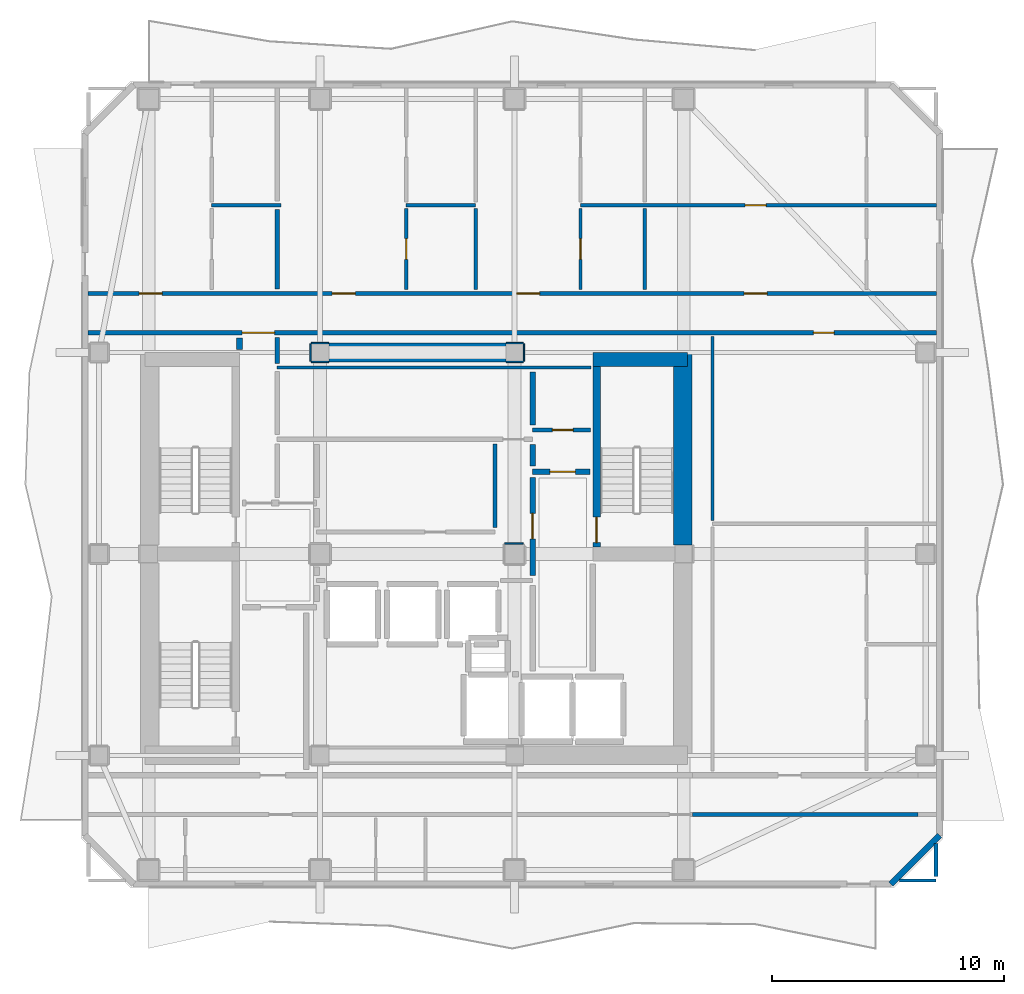
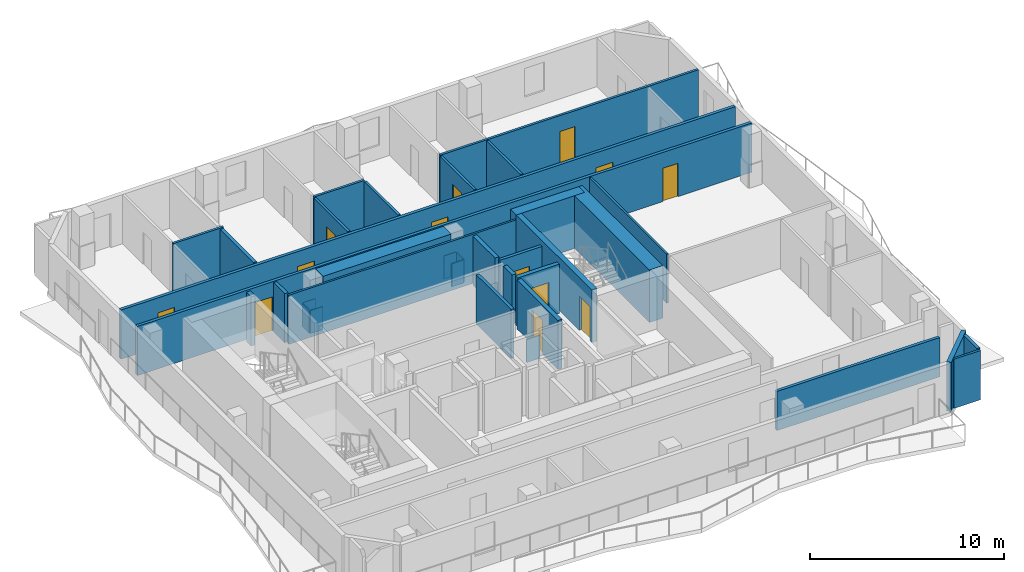
# One storey, part 4 of 9: 35 walls, 13 doors, 13 openings.
"""IFC4 building model written with IfcOpenShell, lengths in metres."""

from ifc_helpers import new_model, si_unit, direction, frame, frame_2d, origin, place, context, subcontext, project, spatial, rectangle, extrude, material, layer, layer_set, type_object, element, fill, save


model = new_model("IFC4")

# Units and contexts
model_context = context("Model", 3, precision=1e-05, world=origin(), true_north=direction((0.0, 1.0)))
body_context = subcontext(model_context, "Body", "Model", "MODEL_VIEW")
ifc_project = project(units=[si_unit("LENGTHUNIT", "METRE"), si_unit("AREAUNIT", "SQUARE_METRE"), si_unit("VOLUMEUNIT", "CUBIC_METRE"), si_unit("PLANEANGLEUNIT", "RADIAN"), si_unit("MASSUNIT", "GRAM", prefix="KILO")], contexts=[model_context])

# Site, building, storey
site_placement = place(None, origin())
site = spatial("IfcSite", under=ifc_project, at=site_placement, CompositionType="ELEMENT")
building_placement = place(site_placement, origin())
building = spatial("IfcBuilding", under=site, at=building_placement, Name="Solanera Arch Residences", CompositionType="ELEMENT")
storey_placement = place(building_placement, frame((0.0, 0.0, 244.56005859375)))
storey = spatial("IfcBuildingStorey", under=building, at=storey_placement, Name="L71", CompositionType="ELEMENT", Elevation=244.56005859375)

# Walls
ifc_material_1 = material(Name="Fire-Rated Gypsum Stud Partition", Category="gypsum")
ifc_layer_1 = layer(ifc_material_1, 0.06005859375)
ifc_layer_set_1 = layer_set([ifc_layer_1], Name="Fire-Rated Gypsum Stud Partition")
wall_type_1 = type_object("IfcWallType", Name="Column Acoustic Furring Wall 60", PredefinedType="PARTITIONING", material=ifc_layer_set_1)
for number, where, z_axis, x_axis, name in (
    (1, (20.425048828125, 38.992919921875, 0.0), (0.0, 0.0, 1.0), (1.0, 0.0, 0.0), "L71 Column Furring 3S"),
    (2, (20.425048828125, 39.806884765625, 0.0), (0.0, 0.0, 1.0), (1.0, 0.0, 0.0), "L71 Column Furring 3N"),
):
    element("IfcWall", number, at=place(storey_placement, frame(where, z_axis=z_axis, x_axis=x_axis)), inside=storey, type_object=wall_type_1, Name=name, PredefinedType="PARTITIONING", context=body_context, shape_type="SweptSolid", body=[
        extrude(rectangle(XDim=0.741943359375, YDim=0.06005859375, at=frame_2d((0.37109375, 0.0))), origin(), (0.0, 0.0, 1.0), 1.449951171875),
    ])
wall_1_placement = place(storey_placement, frame((20.39306640625, 39.02490234375, 0.0), z_axis=(0.0, 0.0, 1.0), x_axis=(0.0, 1.0, 0.0)))
element("IfcWall", 3, at=wall_1_placement, inside=storey, type_object=wall_type_1, Name="L71 Column Furring 3W", PredefinedType="PARTITIONING", context=body_context, shape_type="SweptSolid", body=[
    extrude(rectangle(XDim=0.75, YDim=0.06005859375, at=frame_2d((0.375, 0.0))), origin(), (0.0, 0.0, 1.0), 1.449951171875),
])
for number, where, z_axis, x_axis, name in (
    (4, (28.8330078125, 38.992919921875, 0.0), (0.0, 0.0, 1.0), (1.0, 0.0, 0.0), "L71 Column Furring 4S"),
    (5, (28.8330078125, 39.806884765625, 0.0), (0.0, 0.0, 1.0), (1.0, 0.0, 0.0), "L71 Column Furring 4N"),
):
    element("IfcWall", number, at=place(storey_placement, frame(where, z_axis=z_axis, x_axis=x_axis)), inside=storey, type_object=wall_type_1, Name=name, PredefinedType="PARTITIONING", context=body_context, shape_type="SweptSolid", body=[
        extrude(rectangle(XDim=0.741943359375, YDim=0.06005859375, at=frame_2d((0.37109375, 0.0))), origin(), (0.0, 0.0, 1.0), 1.449951171875),
    ])
wall_2_placement = place(storey_placement, frame((29.60693359375, 39.02490234375, 0.0), z_axis=(0.0, 0.0, 1.0), x_axis=(0.0, 1.0, 0.0)))
element("IfcWall", 6, at=wall_2_placement, inside=storey, type_object=wall_type_1, Name="L71 Column Furring 4E", PredefinedType="PARTITIONING", context=body_context, shape_type="SweptSolid", body=[
    extrude(rectangle(XDim=0.75, YDim=0.06005859375, at=frame_2d((0.375, 0.0))), origin(), (0.0, 0.0, 1.0), 1.449951171875),
])
wall_3_placement = place(storey_placement, frame((28.77490234375, 31.156982421875, 0.0), z_axis=(0.0, 0.0, 1.0), x_axis=(1.0, 0.0, 0.0)))
element("IfcWall", 7, at=wall_3_placement, inside=storey, type_object=wall_type_1, Name="L71 Column Furring 8N", PredefinedType="PARTITIONING", context=body_context, shape_type="SweptSolid", body=[
    extrude(rectangle(XDim=0.794189453125, YDim=0.06005859375, at=frame_2d((0.39697265625, 0.0))), origin(), (0.0, 0.0, 1.0), 1.449951171875),
])

# Wall, opening, door
ifc_material_2 = material(Name="Concrete C40/50 (f'c = 45 MPa)", Category="concrete")
ifc_layer_2 = layer(ifc_material_2, 0.320068359375)
ifc_layer_set_2 = layer_set([ifc_layer_2], Name="Concrete C40/50 (f'c = 45 MPa)")
wall_type_2 = type_object("IfcWallType", Name="Core Shear Wall CW-320", PredefinedType="SHEAR", material=ifc_layer_set_2)
wall_4_placement = place(storey_placement, frame((32.739990234375, 31.0, 0.0), z_axis=(0.0, 0.0, 1.0), x_axis=(0.0, 1.0, 0.0)))
wall_4 = element("IfcWall", 8, at=wall_4_placement, inside=storey, type_object=wall_type_2, Name="L71 Stair ST-T2 West Shear Wall", PredefinedType="SHEAR", context=body_context, shape_type="SweptSolid", body=[
    extrude(rectangle(XDim=7.800048828125, YDim=0.320068359375, at=frame_2d((3.89990234375, 0.0))), origin(), (0.0, 0.0, 1.0), 3.31982421875),
])
opening_1_placement = place(wall_4_placement, frame((0.18994140625, 0.0, 0.0)))
opening_1 = element("IfcOpeningElement", 9, at=opening_1_placement, cuts=wall_4, Name="Opening DF-01", PredefinedType="OPENING", context=body_context, shape_type="SweptSolid", body=[
    extrude(rectangle(XDim=1.10009765625, YDim=2.14990234375, at=frame_2d((0.550048828125, 1.074951171875))), frame((0.0, 0.169921875, 0.0), z_axis=(0.0, -1.0, 0.0), x_axis=(1.0, 0.0, 0.0)), (0.0, 0.0, 1.0), 0.3401),
])
ifc_material_3 = material(Name="Fire-Rated Architectural Hardwood", Category="wood")
door_type_1 = type_object("IfcDoorType", Name="Stair Exit Fire Door DF-01", OperationType="NOTDEFINED", PredefinedType="DOOR", material=ifc_material_3)
door_1_placement = place(opening_1_placement, origin())
door_1 = element("IfcDoor", 10, at=door_1_placement, inside=storey, type_object=door_type_1, Name="DR-L71-STAIR-ST-T2", OperationType="SINGLE_SWING_RIGHT", OverallHeight=2.14990234375, OverallWidth=1.10009765625, PredefinedType="DOOR", context=body_context, shape_type="SweptSolid", body=[
    extrude(rectangle(XDim=1.10009765625, YDim=2.14990234375, at=frame_2d((0.550048828125, 1.074951171875))), frame((0.0, 0.02490234375, 0.0), z_axis=(0.0, -1.0, 0.0), x_axis=(1.0, 0.0, 0.0)), (0.0, 0.0, 1.0), 0.050048828125),
])
fill(opening_1, door_1)

# Walls
ifc_material_4 = material(Name="Concrete C40/50 (f'c = 45 MPa)", Category="concrete")
ifc_layer_3 = layer(ifc_material_4, 0.60009765625)
ifc_layer_set_3 = layer_set([ifc_layer_3], Name="Concrete C40/50 (f'c = 45 MPa)")
wall_type_3 = type_object("IfcWallType", Name="Core Shear Wall CW-600", PredefinedType="SHEAR", material=ifc_layer_set_3)
wall_5_placement = place(storey_placement, frame((32.580078125, 39.10009765625, 0.0), z_axis=(0.0, 0.0, 1.0), x_axis=(1.0, 0.0, 0.0)))
element("IfcWall", 11, at=wall_5_placement, inside=storey, type_object=wall_type_3, Name="L71 North-East Core Shear Wall", PredefinedType="SHEAR", context=body_context, shape_type="SweptSolid", body=[
    extrude(rectangle(XDim=4.079833984375, YDim=0.60009765625, at=frame_2d((2.0400390625, 0.0))), origin(), (0.0, 0.0, 1.0), 3.31982421875),
])
ifc_material_5 = material(Name="Concrete C40/50 (f'c = 45 MPa)", Category="concrete")
ifc_layer_4 = layer(ifc_material_5, 0.800048828125)
ifc_layer_set_4 = layer_set([ifc_layer_4], Name="Concrete C40/50 (f'c = 45 MPa)")
wall_type_4 = type_object("IfcWallType", Name="Core Shear Wall CW-800", PredefinedType="SHEAR", material=ifc_layer_set_4)
wall_6_placement = place(storey_placement, frame((36.4599609375, 31.080078125, 0.0), z_axis=(0.0, 0.0, 1.0), x_axis=(0.0, 1.0, 0.0)))
element("IfcWall", 12, at=wall_6_placement, inside=storey, type_object=wall_type_4, Name="L71 East Core North Shear Wall", PredefinedType="SHEAR", context=body_context, shape_type="SweptSolid", body=[
    extrude(rectangle(XDim=8.31982421875, YDim=0.800048828125, at=frame_2d((4.159912109375, 0.0))), origin(), (0.0, 0.0, 1.0), 3.31982421875),
])
wall_7_placement = place(storey_placement, frame((21.179931640625, 39.39990234375, 0.0), z_axis=(0.0, 0.0, 1.0), x_axis=(1.0, 0.0, 0.0)))
element("IfcWall", 13, at=wall_7_placement, inside=storey, type_object=wall_type_4, Name="L71 Central North Core Shear Wall", PredefinedType="SHEAR", context=body_context, shape_type="SweptSolid", body=[
    extrude(rectangle(XDim=7.64013671875, YDim=0.800048828125, at=frame_2d((3.820068359375, 0.0))), origin(), (0.0, 0.0, 1.0), 3.31982421875),
])
ifc_material_6 = material(Name="Autoclaved Aerated Concrete Blockwork", Category="masonry")
ifc_layer_5 = layer(ifc_material_6, 0.179931640625)
ifc_layer_set_5 = layer_set([ifc_layer_5], Name="Autoclaved Aerated Concrete Blockwork")
wall_type_5 = type_object("IfcWallType", Name="Corridor Fire Partition 180", PredefinedType="PARTITIONING", material=ifc_layer_set_5)
wall_8_placement = place(storey_placement, frame((36.888916015625, 19.449951171875, 0.0), z_axis=(0.0, 0.0, 1.0), x_axis=(1.0, 0.0, 0.0)))
element("IfcWall", 14, at=wall_8_placement, inside=storey, type_object=wall_type_5, Name="L71 Interior Partition H7 2", PredefinedType="PARTITIONING", context=body_context, shape_type="SweptSolid", body=[
    extrude(rectangle(XDim=9.72216796875, YDim=0.179931640625, at=frame_2d((4.861083984375, 0.0))), origin(), (0.0, 0.0, 1.0), 2.47705078125),
])

# Wall, opening, door
wall_9_placement = place(storey_placement, frame((29.97509765625, 36.050048828125, 0.0), z_axis=(0.0, 0.0, 1.0), x_axis=(1.0, 0.0, 0.0)))
wall_9 = element("IfcWall", 15, at=wall_9_placement, inside=storey, type_object=wall_type_5, Name="L71 Interior Partition H10", PredefinedType="PARTITIONING", context=body_context, shape_type="SweptSolid", body=[
    extrude(rectangle(XDim=2.5048828125, YDim=0.179931640625, at=frame_2d((1.25244140625, 0.0))), origin(), (0.0, 0.0, 1.0), 3.099853515625),
])
opening_2_placement = place(wall_9_placement, frame((0.85205078125, 0.0, 0.0)))
opening_2 = element("IfcOpeningElement", 16, at=opening_2_placement, cuts=wall_9, Name="Opening DI-02", PredefinedType="OPENING", context=body_context, shape_type="SweptSolid", body=[
    extrude(rectangle(XDim=0.89990234375, YDim=2.10009765625, at=frame_2d((0.449951171875, 1.050048828125))), frame((0.0, 0.10009765625, 0.0), z_axis=(0.0, -1.0, 0.0), x_axis=(1.0, 0.0, 0.0)), (0.0, 0.0, 1.0), 0.1999),
])
ifc_material_7 = material(Name="Fire-Rated Architectural Hardwood", Category="wood")
door_type_2 = type_object("IfcDoorType", Name="Suite Room Swing Door DI-02", OperationType="NOTDEFINED", PredefinedType="DOOR", material=ifc_material_7)
door_2_placement = place(opening_2_placement, origin())
door_2 = element("IfcDoor", 17, at=door_2_placement, inside=storey, type_object=door_type_2, Name="DR-L71-IN-011", OperationType="SINGLE_SWING_LEFT", OverallHeight=2.10009765625, OverallWidth=0.89990234375, PredefinedType="DOOR", context=body_context, shape_type="SweptSolid", body=[
    extrude(rectangle(XDim=0.89990234375, YDim=2.10009765625, at=frame_2d((0.449951171875, 1.050048828125))), frame((0.0, 0.02490234375, 0.0), z_axis=(0.0, -1.0, 0.0), x_axis=(1.0, 0.0, 0.0)), (0.0, 0.0, 1.0), 0.050048828125),
])
fill(opening_2, door_2)

# Wall, openings, doors
wall_10_placement = place(storey_placement, frame((10.787109375, 40.25, 0.0), z_axis=(0.0, 0.0, 1.0), x_axis=(1.0, 0.0, 0.0)))
wall_10 = element("IfcWall", 18, at=wall_10_placement, inside=storey, type_object=wall_type_5, Name="L71 Interior Partition H11", PredefinedType="PARTITIONING", context=body_context, shape_type="SweptSolid", body=[
    extrude(rectangle(XDim=36.6259765625, YDim=0.179931640625, at=frame_2d((18.31298828125, 0.0))), origin(), (0.0, 0.0, 1.0), 3.099853515625),
])
opening_3_placement = place(wall_10_placement, frame((6.64794921875, 0.0, 0.0)))
opening_3 = element("IfcOpeningElement", 19, at=opening_3_placement, cuts=wall_10, Name="Opening DF-03", PredefinedType="OPENING", context=body_context, shape_type="SweptSolid", body=[
    extrude(rectangle(XDim=1.39990234375, YDim=2.14990234375, at=frame_2d((0.699951171875, 1.074951171875))), frame((0.0, 0.10009765625, 0.0), z_axis=(0.0, -1.0, 0.0), x_axis=(1.0, 0.0, 0.0)), (0.0, 0.0, 1.0), 0.1999),
])
opening_4_placement = place(wall_10_placement, frame((31.31396484375, 0.0, 0.0)))
opening_4 = element("IfcOpeningElement", 20, at=opening_4_placement, cuts=wall_10, Name="Opening DI-02", PredefinedType="OPENING", context=body_context, shape_type="SweptSolid", body=[
    extrude(rectangle(XDim=0.89990234375, YDim=2.10009765625, at=frame_2d((0.449951171875, 1.050048828125))), frame((0.0, 0.10009765625, 0.0), z_axis=(0.0, -1.0, 0.0), x_axis=(1.0, 0.0, 0.0)), (0.0, 0.0, 1.0), 0.1999),
])
ifc_material_8 = material(Name="Fire-Rated Architectural Hardwood", Category="wood")
door_type_3 = type_object("IfcDoorType", Name="Corridor Smoke Door DF-03", OperationType="NOTDEFINED", PredefinedType="DOOR", material=ifc_material_8)
door_3_placement = place(opening_3_placement, origin())
door_3 = element("IfcDoor", 21, at=door_3_placement, inside=storey, type_object=door_type_3, Name="DR-L71-IN-009", OperationType="SINGLE_SWING_LEFT", OverallHeight=2.14990234375, OverallWidth=1.39990234375, PredefinedType="DOOR", context=body_context, shape_type="SweptSolid", body=[
    extrude(rectangle(XDim=1.39990234375, YDim=2.14990234375, at=frame_2d((0.699951171875, 1.074951171875))), frame((0.0, 0.02490234375, 0.0), z_axis=(0.0, -1.0, 0.0), x_axis=(1.0, 0.0, 0.0)), (0.0, 0.0, 1.0), 0.050048828125),
])
fill(opening_3, door_3)
door_4_placement = place(opening_4_placement, origin())
door_4 = element("IfcDoor", 22, at=door_4_placement, inside=storey, type_object=door_type_2, Name="DR-L71-IN-034", OperationType="SINGLE_SWING_RIGHT", OverallHeight=2.10009765625, OverallWidth=0.89990234375, PredefinedType="DOOR", context=body_context, shape_type="SweptSolid", body=[
    extrude(rectangle(XDim=0.89990234375, YDim=2.10009765625, at=frame_2d((0.449951171875, 1.050048828125))), frame((0.0, 0.02490234375, 0.0), z_axis=(0.0, -1.0, 0.0), x_axis=(1.0, 0.0, 0.0)), (0.0, 0.0, 1.0), 0.050048828125),
])
fill(opening_4, door_4)

wall_11_placement = place(storey_placement, frame((10.787109375, 41.949951171875, 0.0), z_axis=(0.0, 0.0, 1.0), x_axis=(1.0, 0.0, 0.0)))
wall_11 = element("IfcWall", 23, at=wall_11_placement, inside=storey, type_object=wall_type_5, Name="L71 Interior Partition H12", PredefinedType="PARTITIONING", context=body_context, shape_type="SweptSolid", body=[
    extrude(rectangle(XDim=36.6259765625, YDim=0.179931640625, at=frame_2d((18.31298828125, 0.0))), origin(), (0.0, 0.0, 1.0), 3.099853515625),
])
opening_5_placement = place(wall_11_placement, frame((2.197021484375, 0.0, 0.0)))
opening_5 = element("IfcOpeningElement", 24, at=opening_5_placement, cuts=wall_11, Name="Opening DI-01", PredefinedType="OPENING", context=body_context, shape_type="SweptSolid", body=[
    extrude(rectangle(XDim=1.0, YDim=2.14990234375, at=frame_2d((0.5, 1.074951171875))), frame((0.0, 0.10009765625, 0.0), z_axis=(0.0, -1.0, 0.0), x_axis=(1.0, 0.0, 0.0)), (0.0, 0.0, 1.0), 0.1999),
])
opening_6_placement = place(wall_11_placement, frame((10.532958984375, 0.0, 0.0)))
opening_6 = element("IfcOpeningElement", 25, at=opening_6_placement, cuts=wall_11, Name="Opening DI-01", PredefinedType="OPENING", context=body_context, shape_type="SweptSolid", body=[
    extrude(rectangle(XDim=1.0, YDim=2.14990234375, at=frame_2d((0.5, 1.074951171875))), frame((0.0, 0.10009765625, 0.0), z_axis=(0.0, -1.0, 0.0), x_axis=(1.0, 0.0, 0.0)), (0.0, 0.0, 1.0), 0.1999),
])
opening_7_placement = place(wall_11_placement, frame((18.49609375, 0.0, 0.0)))
opening_7 = element("IfcOpeningElement", 26, at=opening_7_placement, cuts=wall_11, Name="Opening DI-01", PredefinedType="OPENING", context=body_context, shape_type="SweptSolid", body=[
    extrude(rectangle(XDim=1.0, YDim=2.14990234375, at=frame_2d((0.5, 1.074951171875))), frame((0.0, 0.10009765625, 0.0), z_axis=(0.0, -1.0, 0.0), x_axis=(1.0, 0.0, 0.0)), (0.0, 0.0, 1.0), 0.1999),
])
opening_8_placement = place(wall_11_placement, frame((28.322998046875, 0.0, 0.0)))
opening_8 = element("IfcOpeningElement", 27, at=opening_8_placement, cuts=wall_11, Name="Opening DI-01", PredefinedType="OPENING", context=body_context, shape_type="SweptSolid", body=[
    extrude(rectangle(XDim=1.0, YDim=2.14990234375, at=frame_2d((0.5, 1.074951171875))), frame((0.0, 0.10009765625, 0.0), z_axis=(0.0, -1.0, 0.0), x_axis=(1.0, 0.0, 0.0)), (0.0, 0.0, 1.0), 0.1999),
])
ifc_material_9 = material(Name="Fire-Rated Architectural Hardwood", Category="wood")
door_type_4 = type_object("IfcDoorType", Name="Unit Entrance Fire Door DI-01", OperationType="NOTDEFINED", PredefinedType="DOOR", material=ifc_material_9)
door_5_placement = place(opening_5_placement, origin())
door_5 = element("IfcDoor", 28, at=door_5_placement, inside=storey, type_object=door_type_4, Name="DR-L71-IN-018", OperationType="SINGLE_SWING_RIGHT", OverallHeight=2.14990234375, OverallWidth=1.0, PredefinedType="DOOR", context=body_context, shape_type="SweptSolid", body=[
    extrude(rectangle(XDim=1.0, YDim=2.14990234375, at=frame_2d((0.5, 1.074951171875))), frame((0.0, 0.02490234375, 0.0), z_axis=(0.0, -1.0, 0.0), x_axis=(1.0, 0.0, 0.0)), (0.0, 0.0, 1.0), 0.050048828125),
])
fill(opening_5, door_5)
door_6_placement = place(opening_6_placement, origin())
door_6 = element("IfcDoor", 29, at=door_6_placement, inside=storey, type_object=door_type_4, Name="DR-L71-IN-021", OperationType="SINGLE_SWING_LEFT", OverallHeight=2.14990234375, OverallWidth=1.0, PredefinedType="DOOR", context=body_context, shape_type="SweptSolid", body=[
    extrude(rectangle(XDim=1.0, YDim=2.14990234375, at=frame_2d((0.5, 1.074951171875))), frame((0.0, 0.02490234375, 0.0), z_axis=(0.0, -1.0, 0.0), x_axis=(1.0, 0.0, 0.0)), (0.0, 0.0, 1.0), 0.050048828125),
])
fill(opening_6, door_6)
door_7_placement = place(opening_7_placement, origin())
door_7 = element("IfcDoor", 30, at=door_7_placement, inside=storey, type_object=door_type_4, Name="DR-L71-IN-024", OperationType="SINGLE_SWING_RIGHT", OverallHeight=2.14990234375, OverallWidth=1.0, PredefinedType="DOOR", context=body_context, shape_type="SweptSolid", body=[
    extrude(rectangle(XDim=1.0, YDim=2.14990234375, at=frame_2d((0.5, 1.074951171875))), frame((0.0, 0.02490234375, 0.0), z_axis=(0.0, -1.0, 0.0), x_axis=(1.0, 0.0, 0.0)), (0.0, 0.0, 1.0), 0.050048828125),
])
fill(opening_7, door_7)
door_8_placement = place(opening_8_placement, origin())
door_8 = element("IfcDoor", 31, at=door_8_placement, inside=storey, type_object=door_type_4, Name="DR-L71-IN-027", OperationType="SINGLE_SWING_LEFT", OverallHeight=2.14990234375, OverallWidth=1.0, PredefinedType="DOOR", context=body_context, shape_type="SweptSolid", body=[
    extrude(rectangle(XDim=1.0, YDim=2.14990234375, at=frame_2d((0.5, 1.074951171875))), frame((0.0, 0.02490234375, 0.0), z_axis=(0.0, -1.0, 0.0), x_axis=(1.0, 0.0, 0.0)), (0.0, 0.0, 1.0), 0.050048828125),
])
fill(opening_8, door_8)

# Walls
wall_12_placement = place(storey_placement, frame((28.35009765625, 31.837890625, 0.0), z_axis=(0.0, 0.0, 1.0), x_axis=(0.0, 1.0, 0.0)))
element("IfcWall", 32, at=wall_12_placement, inside=storey, type_object=wall_type_5, Name="L71 Interior Partition V10", PredefinedType="PARTITIONING", context=body_context, shape_type="SweptSolid", body=[
    extrude(rectangle(XDim=3.614013671875, YDim=0.179931640625, at=frame_2d((1.80712890625, 0.0))), origin(), (0.0, 0.0, 1.0), 3.099853515625),
])
wall_13_placement = place(storey_placement, frame((47.39990234375, 16.76806640625, 0.0), z_axis=(0.0, 0.0, 1.0), x_axis=(0.0, 1.0, 0.0)))
element("IfcWall", 33, at=wall_13_placement, inside=storey, type_object=wall_type_5, Name="L71 Interior Partition V11 1", PredefinedType="PARTITIONING", context=body_context, shape_type="SweptSolid", body=[
    extrude(rectangle(XDim=1.4208984375, YDim=0.179931640625, at=frame_2d((0.71044921875, 0.0))), origin(), (0.0, 0.0, 1.0), 3.099853515625),
])
ifc_material_10 = material(Name="Precast Concrete C35/45", Category="concrete")
ifc_layer_6 = layer(ifc_material_10, 0.260009765625)
ifc_layer_set_6 = layer_set([ifc_layer_6], Name="Precast Concrete C35/45")
wall_type_6 = type_object("IfcWallType", Name="Exterior Wall Precast Masonry-Frame 260", PredefinedType="STANDARD", material=ifc_layer_set_6)
wall_14_placement = place(storey_placement, frame((47.554931640625, 18.544921875, 0.0), z_axis=(0.0, 0.0, 1.0), x_axis=(-0.707106781187, -0.707106781187, 0.0)))
element("IfcWall", 34, at=wall_14_placement, inside=storey, type_object=wall_type_6, Name="L71 Tower Exterior Precast Masonry-Frame Wall CH5", PredefinedType="STANDARD", context=body_context, shape_type="SweptSolid", body=[
    extrude(rectangle(XDim=2.9697265625, YDim=0.260009765625, at=frame_2d((1.48486328125, 0.0))), origin(), (0.0, 0.0, 1.0), 3.099853515625),
])
ifc_material_11 = material(Name="Autoclaved Aerated Concrete Blockwork", Category="masonry")
ifc_layer_7 = layer(ifc_material_11, 0.199951171875)
ifc_layer_set_7 = layer_set([ifc_layer_7], Name="Autoclaved Aerated Concrete Blockwork")
wall_type_7 = type_object("IfcWallType", Name="Party Wall Acoustic 200", PredefinedType="PARTITIONING", material=ifc_layer_set_7)
wall_15_placement = place(storey_placement, frame((18.949951171875, 38.91796875, 0.0), z_axis=(0.0, 0.0, 1.0), x_axis=(0.0, 1.0, 0.0)))
element("IfcWall", 35, at=wall_15_placement, inside=storey, type_object=wall_type_7, Name="L71 Interior Partition V6 3", PredefinedType="PARTITIONING", context=body_context, shape_type="SweptSolid", body=[
    extrude(rectangle(XDim=1.134033203125, YDim=0.199951171875, at=frame_2d((0.56689453125, 0.0))), origin(), (0.0, 0.0, 1.0), 3.099853515625),
])
wall_16_placement = place(storey_placement, frame((18.949951171875, 42.14794921875, 0.0), z_axis=(0.0, 0.0, 1.0), x_axis=(0.0, 1.0, 0.0)))
element("IfcWall", 36, at=wall_16_placement, inside=storey, type_object=wall_type_7, Name="L71 Interior Partition V7 1", PredefinedType="PARTITIONING", context=body_context, shape_type="SweptSolid", body=[
    extrude(rectangle(XDim=3.429931640625, YDim=0.199951171875, at=frame_2d((1.71484375, 0.0))), origin(), (0.0, 0.0, 1.0), 3.099853515625),
])

# Wall, opening, door
ifc_material_12 = material(Name="Autoclaved Aerated Concrete Blockwork", Category="masonry")
ifc_layer_8 = layer(ifc_material_12, 0.239990234375)
ifc_layer_set_8 = layer_set([ifc_layer_8], Name="Autoclaved Aerated Concrete Blockwork")
wall_type_8 = type_object("IfcWallType", Name="Shaft Wall Fire-Rated 240", PredefinedType="PARTITIONING", material=ifc_layer_set_8)
wall_17_placement = place(storey_placement, frame((29.97509765625, 34.25, 0.0), z_axis=(0.0, 0.0, 1.0), x_axis=(1.0, 0.0, 0.0)))
wall_17 = element("IfcWall", 37, at=wall_17_placement, inside=storey, type_object=wall_type_8, Name="L71 Interior Partition H5", PredefinedType="PARTITIONING", context=body_context, shape_type="SweptSolid", body=[
    extrude(rectangle(XDim=2.474853515625, YDim=0.239990234375, at=frame_2d((1.2373046875, 0.0))), origin(), (0.0, 0.0, 1.0), 3.099853515625),
])
opening_9_placement = place(wall_17_placement, frame((0.751953125, 0.0, 0.0)))
opening_9 = element("IfcOpeningElement", 38, at=opening_9_placement, cuts=wall_17, Name="Opening DF-02", PredefinedType="OPENING", context=body_context, shape_type="SweptSolid", body=[
    extrude(rectangle(XDim=1.10009765625, YDim=2.14990234375, at=frame_2d((0.550048828125, 1.074951171875))), frame((0.0, 0.1298828125, 0.0), z_axis=(0.0, -1.0, 0.0), x_axis=(1.0, 0.0, 0.0)), (0.0, 0.0, 1.0), 0.26),
])
ifc_material_13 = material(Name="Fire-Rated Architectural Hardwood", Category="wood")
door_type_5 = type_object("IfcDoorType", Name="Firefighting Lobby Fire Door DF-02", OperationType="NOTDEFINED", PredefinedType="DOOR", material=ifc_material_13)
door_9_placement = place(opening_9_placement, origin())
door_9 = element("IfcDoor", 39, at=door_9_placement, inside=storey, type_object=door_type_5, Name="DR-L71-IN-007", OperationType="SINGLE_SWING_LEFT", OverallHeight=2.14990234375, OverallWidth=1.10009765625, PredefinedType="DOOR", context=body_context, shape_type="SweptSolid", body=[
    extrude(rectangle(XDim=1.10009765625, YDim=2.14990234375, at=frame_2d((0.550048828125, 1.074951171875))), frame((0.0, 0.02490234375, 0.0), z_axis=(0.0, -1.0, 0.0), x_axis=(1.0, 0.0, 0.0)), (0.0, 0.0, 1.0), 0.050048828125),
])
fill(opening_9, door_9)

# Wall
wall_18_placement = place(storey_placement, frame((17.320068359375, 39.530029296875, 0.0), z_axis=(0.0, 0.0, 1.0), x_axis=(0.0, 1.0, 0.0)))
element("IfcWall", 40, at=wall_18_placement, inside=storey, type_object=wall_type_8, Name="L71 Interior Partition V1", PredefinedType="PARTITIONING", context=body_context, shape_type="SweptSolid", body=[
    extrude(rectangle(XDim=0.501953125, YDim=0.239990234375, at=frame_2d((0.2509765625, 0.0))), origin(), (0.0, 0.0, 1.0), 3.099853515625),
])

# Wall, opening, door
wall_19_placement = place(storey_placement, frame((29.97509765625, 29.76806640625, 0.0), z_axis=(0.0, 0.0, 1.0), x_axis=(0.0, 1.0, 0.0)))
wall_19 = element("IfcWall", 41, at=wall_19_placement, inside=storey, type_object=wall_type_8, Name="L71 Interior Partition V4 2", PredefinedType="PARTITIONING", context=body_context, shape_type="SweptSolid", body=[
    extrude(rectangle(XDim=4.23388671875, YDim=0.239990234375, at=frame_2d((2.116943359375, 0.0))), origin(), (0.0, 0.0, 1.0), 3.099853515625),
])
opening_10_placement = place(wall_19_placement, frame((1.58203125, 0.0, 0.0)))
opening_10 = element("IfcOpeningElement", 42, at=opening_10_placement, cuts=wall_19, Name="Opening DF-02", PredefinedType="OPENING", context=body_context, shape_type="SweptSolid", body=[
    extrude(rectangle(XDim=1.10009765625, YDim=2.14990234375, at=frame_2d((0.550048828125, 1.074951171875))), frame((0.0, 0.1298828125, 0.0), z_axis=(0.0, -1.0, 0.0), x_axis=(1.0, 0.0, 0.0)), (0.0, 0.0, 1.0), 0.26),
])
door_10_placement = place(opening_10_placement, origin())
door_10 = element("IfcDoor", 43, at=door_10_placement, inside=storey, type_object=door_type_5, Name="DR-L71-IN-006", OperationType="SINGLE_SWING_RIGHT", OverallHeight=2.14990234375, OverallWidth=1.10009765625, PredefinedType="DOOR", context=body_context, shape_type="SweptSolid", body=[
    extrude(rectangle(XDim=1.10009765625, YDim=2.14990234375, at=frame_2d((0.550048828125, 1.074951171875))), frame((0.0, 0.02490234375, 0.0), z_axis=(0.0, -1.0, 0.0), x_axis=(1.0, 0.0, 0.0)), (0.0, 0.0, 1.0), 0.050048828125),
])
fill(opening_10, door_10)

# Walls
wall_20_placement = place(storey_placement, frame((29.97509765625, 34.498046875, 0.0), z_axis=(0.0, 0.0, 1.0), x_axis=(0.0, 1.0, 0.0)))
element("IfcWall", 44, at=wall_20_placement, inside=storey, type_object=wall_type_8, Name="L71 Interior Partition V4 3", PredefinedType="PARTITIONING", context=body_context, shape_type="SweptSolid", body=[
    extrude(rectangle(XDim=0.924072265625, YDim=0.239990234375, at=frame_2d((0.4619140625, 0.0))), origin(), (0.0, 0.0, 1.0), 3.099853515625),
])
wall_21_placement = place(storey_placement, frame((29.97509765625, 36.26806640625, 0.0), z_axis=(0.0, 0.0, 1.0), x_axis=(0.0, 1.0, 0.0)))
element("IfcWall", 45, at=wall_21_placement, inside=storey, type_object=wall_type_8, Name="L71 Interior Partition V4 4", PredefinedType="PARTITIONING", context=body_context, shape_type="SweptSolid", body=[
    extrude(rectangle(XDim=2.2939453125, YDim=0.239990234375, at=frame_2d((1.14697265625, 0.0))), origin(), (0.0, 0.0, 1.0), 3.099853515625),
])
ifc_material_14 = material(Name="Fire-Rated Gypsum Stud Partition", Category="gypsum")
ifc_layer_9 = layer(ifc_material_14, 0.1201171875)
ifc_layer_set_9 = layer_set([ifc_layer_9], Name="Fire-Rated Gypsum Stud Partition")
wall_type_9 = type_object("IfcWallType", Name="Unit Drywall Partition 120", PredefinedType="PARTITIONING", material=ifc_layer_set_9)
wall_22_placement = place(storey_placement, frame((18.949951171875, 38.75, 0.0), z_axis=(0.0, 0.0, 1.0), x_axis=(1.0, 0.0, 0.0)))
element("IfcWall", 46, at=wall_22_placement, inside=storey, type_object=wall_type_9, Name="L71 Interior Partition H20", PredefinedType="PARTITIONING", context=body_context, shape_type="SweptSolid", body=[
    extrude(rectangle(XDim=13.56005859375, YDim=0.1201171875, at=frame_2d((6.780029296875, 0.0))), origin(), (0.0, 0.0, 1.0), 3.099853515625),
])
wall_23_placement = place(storey_placement, frame((37.75, 32.137939453125, 0.0), z_axis=(0.0, 0.0, 1.0), x_axis=(0.0, 1.0, 0.0)))
element("IfcWall", 47, at=wall_23_placement, inside=storey, type_object=wall_type_9, Name="L71 Interior Partition V22 2", PredefinedType="PARTITIONING", context=body_context, shape_type="SweptSolid", body=[
    extrude(rectangle(XDim=7.9541015625, YDim=0.1201171875, at=frame_2d((3.97705078125, 0.0))), origin(), (0.0, 0.0, 1.0), 3.099853515625),
])
ifc_material_15 = material(Name="Autoclaved Aerated Concrete Blockwork", Category="masonry")
ifc_layer_10 = layer(ifc_material_15, 0.139892578125)
ifc_layer_set_10 = layer_set([ifc_layer_10], Name="Autoclaved Aerated Concrete Blockwork")
wall_type_10 = type_object("IfcWallType", Name="Wet-Room Partition 140", PredefinedType="PARTITIONING", material=ifc_layer_set_10)
wall_24_placement = place(storey_placement, frame((45.81103515625, 16.60009765625, 0.0), z_axis=(0.0, 0.0, 1.0), x_axis=(1.0, 0.0, 0.0)))
element("IfcWall", 48, at=wall_24_placement, inside=storey, type_object=wall_type_10, Name="L71 Interior Partition H13 2", PredefinedType="PARTITIONING", context=body_context, shape_type="SweptSolid", body=[
    extrude(rectangle(XDim=1.5888671875, YDim=0.139892578125, at=frame_2d((0.79443359375, 0.0))), origin(), (0.0, 0.0, 1.0), 3.099853515625),
])
for number, where, z_axis, x_axis, name in (
    (49, (16.1201171875, 45.756103515625, 0.0), (0.0, 0.0, 1.0), (1.0, 0.0, 0.0), "L71 Interior Partition H16"),
    (50, (24.52001953125, 45.756103515625, 0.0), (0.0, 0.0, 1.0), (1.0, 0.0, 0.0), "L71 Interior Partition H17"),
):
    element("IfcWall", number, at=place(storey_placement, frame(where, z_axis=z_axis, x_axis=x_axis)), inside=storey, type_object=wall_type_10, Name=name, PredefinedType="PARTITIONING", context=body_context, shape_type="SweptSolid", body=[
        extrude(rectangle(XDim=3.0, YDim=0.139892578125, at=frame_2d((1.5, 0.0))), origin(), (0.0, 0.0, 1.0), 3.099853515625),
    ])

# Wall, opening, door
wall_25_placement = place(storey_placement, frame((32.0458984375, 45.756103515625, 0.0), z_axis=(0.0, 0.0, 1.0), x_axis=(1.0, 0.0, 0.0)))
wall_25 = element("IfcWall", 51, at=wall_25_placement, inside=storey, type_object=wall_type_10, Name="L71 Interior Partition H18", PredefinedType="PARTITIONING", context=body_context, shape_type="SweptSolid", body=[
    extrude(rectangle(XDim=15.3671875, YDim=0.139892578125, at=frame_2d((7.68359375, 0.0))), origin(), (0.0, 0.0, 1.0), 3.099853515625),
])
opening_11_placement = place(wall_25_placement, frame((7.114013671875, 0.0, 0.0)))
opening_11 = element("IfcOpeningElement", 52, at=opening_11_placement, cuts=wall_25, Name="Opening DI-02", PredefinedType="OPENING", context=body_context, shape_type="SweptSolid", body=[
    extrude(rectangle(XDim=0.89990234375, YDim=2.10009765625, at=frame_2d((0.449951171875, 1.050048828125))), frame((0.0, 0.079833984375, 0.0), z_axis=(0.0, -1.0, 0.0), x_axis=(1.0, 0.0, 0.0)), (0.0, 0.0, 1.0), 0.1599),
])
door_11_placement = place(opening_11_placement, origin())
door_11 = element("IfcDoor", 53, at=door_11_placement, inside=storey, type_object=door_type_2, Name="DR-L71-IN-028", OperationType="SINGLE_SWING_RIGHT", OverallHeight=2.10009765625, OverallWidth=0.89990234375, PredefinedType="DOOR", context=body_context, shape_type="SweptSolid", body=[
    extrude(rectangle(XDim=0.89990234375, YDim=2.10009765625, at=frame_2d((0.449951171875, 1.050048828125))), frame((0.0, 0.02490234375, 0.0), z_axis=(0.0, -1.0, 0.0), x_axis=(1.0, 0.0, 0.0)), (0.0, 0.0, 1.0), 0.050048828125),
])
fill(opening_11, door_11)

wall_26_placement = place(storey_placement, frame((24.52001953125, 42.117919921875, 0.0), z_axis=(0.0, 0.0, 1.0), x_axis=(0.0, 1.0, 0.0)))
wall_26 = element("IfcWall", 54, at=wall_26_placement, inside=storey, type_object=wall_type_10, Name="L71 Interior Partition V14 1", PredefinedType="PARTITIONING", context=body_context, shape_type="SweptSolid", body=[
    extrude(rectangle(XDim=3.489990234375, YDim=0.139892578125, at=frame_2d((1.7451171875, 0.0))), origin(), (0.0, 0.0, 1.0), 3.099853515625),
])
opening_12_placement = place(wall_26_placement, frame((1.298095703125, 0.0, 0.0)))
opening_12 = element("IfcOpeningElement", 55, at=opening_12_placement, cuts=wall_26, Name="Opening DI-02", PredefinedType="OPENING", context=body_context, shape_type="SweptSolid", body=[
    extrude(rectangle(XDim=0.89990234375, YDim=2.10009765625, at=frame_2d((0.449951171875, 1.050048828125))), frame((0.0, 0.079833984375, 0.0), z_axis=(0.0, -1.0, 0.0), x_axis=(1.0, 0.0, 0.0)), (0.0, 0.0, 1.0), 0.1599),
])
door_12_placement = place(opening_12_placement, origin())
door_12 = element("IfcDoor", 56, at=door_12_placement, inside=storey, type_object=door_type_2, Name="DR-L71-IN-022", OperationType="SINGLE_SWING_RIGHT", OverallHeight=2.10009765625, OverallWidth=0.89990234375, PredefinedType="DOOR", context=body_context, shape_type="SweptSolid", body=[
    extrude(rectangle(XDim=0.89990234375, YDim=2.10009765625, at=frame_2d((0.449951171875, 1.050048828125))), frame((0.0, 0.02490234375, 0.0), z_axis=(0.0, -1.0, 0.0), x_axis=(1.0, 0.0, 0.0)), (0.0, 0.0, 1.0), 0.050048828125),
])
fill(opening_12, door_12)

# Wall
wall_27_placement = place(storey_placement, frame((27.52001953125, 42.117919921875, 0.0), z_axis=(0.0, 0.0, 1.0), x_axis=(0.0, 1.0, 0.0)))
element("IfcWall", 57, at=wall_27_placement, inside=storey, type_object=wall_type_10, Name="L71 Interior Partition V15 1", PredefinedType="PARTITIONING", context=body_context, shape_type="SweptSolid", body=[
    extrude(rectangle(XDim=3.489990234375, YDim=0.139892578125, at=frame_2d((1.7451171875, 0.0))), origin(), (0.0, 0.0, 1.0), 3.099853515625),
])

# Wall, opening, door
wall_28_placement = place(storey_placement, frame((32.0458984375, 42.117919921875, 0.0), z_axis=(0.0, 0.0, 1.0), x_axis=(0.0, 1.0, 0.0)))
wall_28 = element("IfcWall", 58, at=wall_28_placement, inside=storey, type_object=wall_type_10, Name="L71 Interior Partition V16 1", PredefinedType="PARTITIONING", context=body_context, shape_type="SweptSolid", body=[
    extrude(rectangle(XDim=3.489990234375, YDim=0.139892578125, at=frame_2d((1.7451171875, 0.0))), origin(), (0.0, 0.0, 1.0), 3.099853515625),
])
opening_13_placement = place(wall_28_placement, frame((1.298095703125, 0.0, 0.0)))
opening_13 = element("IfcOpeningElement", 59, at=opening_13_placement, cuts=wall_28, Name="Opening DI-02", PredefinedType="OPENING", context=body_context, shape_type="SweptSolid", body=[
    extrude(rectangle(XDim=0.89990234375, YDim=2.10009765625, at=frame_2d((0.449951171875, 1.050048828125))), frame((0.0, 0.079833984375, 0.0), z_axis=(0.0, -1.0, 0.0), x_axis=(1.0, 0.0, 0.0)), (0.0, 0.0, 1.0), 0.1599),
])
door_13_placement = place(opening_13_placement, origin())
door_13 = element("IfcDoor", 60, at=door_13_placement, inside=storey, type_object=door_type_2, Name="DR-L71-IN-025", OperationType="SINGLE_SWING_LEFT", OverallHeight=2.10009765625, OverallWidth=0.89990234375, PredefinedType="DOOR", context=body_context, shape_type="SweptSolid", body=[
    extrude(rectangle(XDim=0.89990234375, YDim=2.10009765625, at=frame_2d((0.449951171875, 1.050048828125))), frame((0.0, 0.02490234375, 0.0), z_axis=(0.0, -1.0, 0.0), x_axis=(1.0, 0.0, 0.0)), (0.0, 0.0, 1.0), 0.050048828125),
])
fill(opening_13, door_13)

# Wall
wall_29_placement = place(storey_placement, frame((34.820068359375, 42.117919921875, 0.0), z_axis=(0.0, 0.0, 1.0), x_axis=(0.0, 1.0, 0.0)))
element("IfcWall", 61, at=wall_29_placement, inside=storey, type_object=wall_type_10, Name="L71 Interior Partition V17 1", PredefinedType="PARTITIONING", context=body_context, shape_type="SweptSolid", body=[
    extrude(rectangle(XDim=3.489990234375, YDim=0.139892578125, at=frame_2d((1.7451171875, 0.0))), origin(), (0.0, 0.0, 1.0), 3.099853515625),
])

save(model, "model.ifc")
